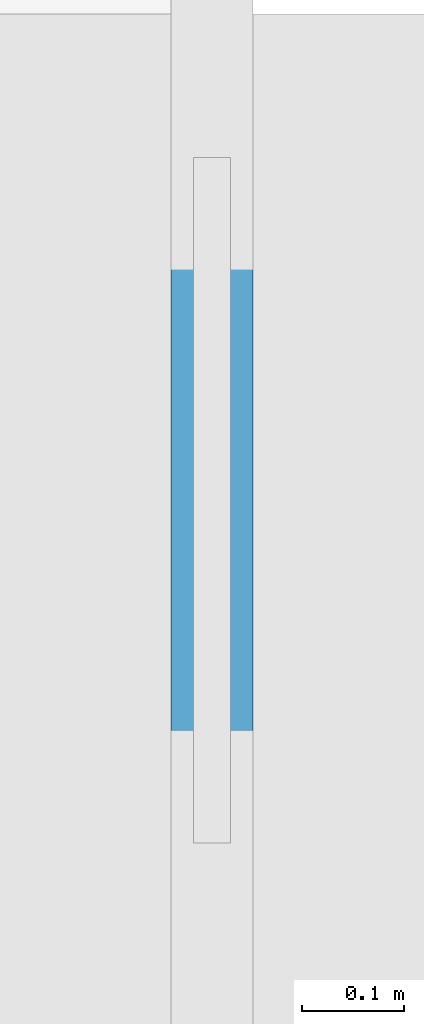
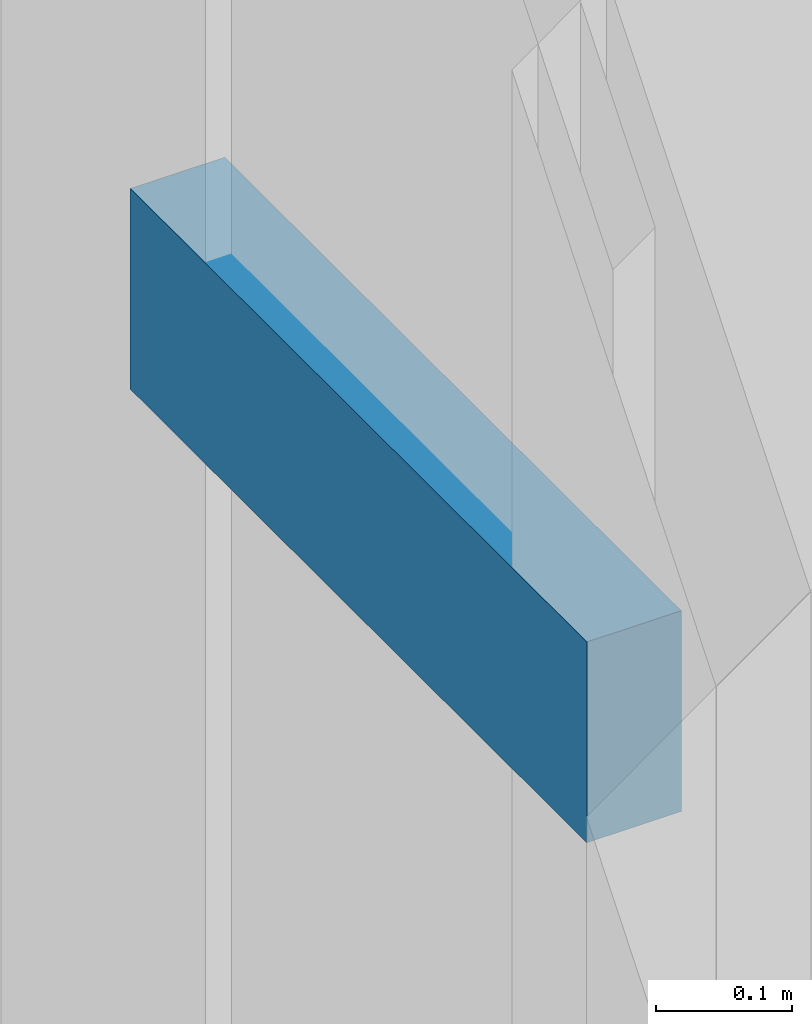
# One storey, part 15 of 49: 1 member, 1 element without a shape of its own.
"""IFC4 building model written with IfcOpenShell, lengths in metres."""

import ifcopenshell
import ifcopenshell.guid

model = None  # the IFC model being written
_history = None  # IfcOwnerHistory: only IFC2X3 demands one
_inside = {}  # id of a spatial element -> (the spatial element, [elements in it])
_under = {}  # id of a project, library or spatial element -> (it, [spatial elements below it])
_declared = {}  # id of a project -> (the project, [libraries it declares])
_typed = {}  # id of a type object -> (the type object, [elements of that type])
_made_of = {}  # id of a material, layer set ... -> (it, [elements and type objects made of it])


def new_model(schema):
    """Start an empty IFC model of exactly this schema.

    Asked for "IFC4X3", IfcOpenShell would pick the latest addendum, in which some entities
    have other attributes; the version numbers below select the first issue.
    IFC2X3 requires an IfcOwnerHistory on every rooted entity: one is made here for all.
    """
    global model, _history
    if schema == "IFC4X3":
        model = ifcopenshell.file(schema_version=(4, 3, 0, 0))
    else:
        model = ifcopenshell.file(schema=schema)
    _inside.clear()
    _under.clear()
    _declared.clear()
    _typed.clear()
    _made_of.clear()
    _history = None
    if model.schema == "IFC2X3":
        org = make("IfcOrganization", Name="unknown")
        user = make(
            "IfcPersonAndOrganization",
            ThePerson=make("IfcPerson", FamilyName="unknown"),
            TheOrganization=org,
        )
        app = make(
            "IfcApplication",
            ApplicationDeveloper=org,
            Version="unknown",
            ApplicationFullName="unknown",
            ApplicationIdentifier="unknown",
        )
        _history = make(
            "IfcOwnerHistory",
            OwningUser=user,
            OwningApplication=app,
            ChangeAction="ADDED",
            CreationDate=0,
        )
    return model


def make(cls, **values):
    """One entity of the class cls with the attributes given. An attribute that is None is left unset."""
    return model.create_entity(
        cls, **{name: value for name, value in values.items() if value is not None}
    )


def rooted(cls, **values):
    """An entity with a GlobalId (a new one), such as an element, a storey or a relation."""
    return make(cls, GlobalId=ifcopenshell.guid.new(), OwnerHistory=_history, **values)


def si_unit(unit_type, name, prefix=None):
    """IfcSIUnit, for example si_unit("LENGTHUNIT", "METRE", prefix="MILLI")."""
    return make("IfcSIUnit", UnitType=unit_type, Prefix=prefix, Name=name)


def assignment(units):
    """IfcUnitAssignment: the units of a project."""
    return None if units is None else make("IfcUnitAssignment", Units=units)


def point(xyz):
    """IfcCartesianPoint."""
    return None if xyz is None else make("IfcCartesianPoint", Coordinates=xyz)


def direction(xyz):
    """IfcDirection."""
    return None if xyz is None else make("IfcDirection", DirectionRatios=xyz)


def frame(location, z_axis=None, x_axis=None):
    """IfcAxis2Placement3D, a coordinate frame: its origin and axes. An axis left out is left unset."""
    return make(
        "IfcAxis2Placement3D",
        Location=point(location),
        Axis=direction(z_axis),
        RefDirection=direction(x_axis),
    )


def frame_2d(location, x_axis=None):
    """IfcAxis2Placement2D, a coordinate frame in the plane: its origin and x axis."""
    return make(
        "IfcAxis2Placement2D", Location=point(location), RefDirection=direction(x_axis)
    )


def origin():
    """The frame at (0, 0, 0) with its axes left unset."""
    return frame((0.0, 0.0, 0.0))


def origin_2d():
    """The frame at (0, 0) in the plane with its x axis left unset."""
    return frame_2d((0.0, 0.0))


def place(relative_to, where):
    """IfcLocalPlacement: puts the frame where relative to a parent placement (None: the world)."""
    return make(
        "IfcLocalPlacement", PlacementRelTo=relative_to, RelativePlacement=where
    )


def context(
    kind, dimensions, precision=None, world=None, true_north=None, identifier=None
):
    """IfcGeometricRepresentationContext, for example the 3D "Model" context."""
    return make(
        "IfcGeometricRepresentationContext",
        ContextIdentifier=identifier,
        ContextType=kind,
        CoordinateSpaceDimension=dimensions,
        Precision=precision,
        WorldCoordinateSystem=world,
        TrueNorth=true_north,
    )


def subcontext(parent, identifier, kind, view, scale=None):
    """IfcGeometricRepresentationSubContext, for example "Body" below "Model"."""
    return make(
        "IfcGeometricRepresentationSubContext",
        ContextIdentifier=identifier,
        ContextType=kind,
        ParentContext=parent,
        TargetScale=scale,
        TargetView=view,
    )


def project(units=None, contexts=None):
    """IfcProject with its units and contexts."""
    return rooted(
        "IfcProject",
        Name="project",
        RepresentationContexts=contexts,
        UnitsInContext=assignment(units),
    )


def spatial(cls, under=None, at=None, **own):
    """A site, building, storey or space (cls), placed at a placement, below another one or the project."""
    s = rooted(cls, ObjectPlacement=at, **own)
    if under is not None:
        _under.setdefault(under.id(), (under, []))[1].append(s)
    return s


def profile(cls, at=None, kind="AREA", **sizes):
    """A parametric profile (cls). Its sizes go by their IFC names, for example OverallWidth=200.0."""
    return make(cls, ProfileType=kind, Position=at, **sizes)


def rectangle(**sizes):
    """IfcRectangleProfileDef."""
    return profile("IfcRectangleProfileDef", **sizes)


def extrude(swept, where, along, depth):
    """IfcExtrudedAreaSolid: the profile swept, set in the frame where, extruded along a direction by depth."""
    return make(
        "IfcExtrudedAreaSolid",
        SweptArea=swept,
        Position=where,
        ExtrudedDirection=direction(along),
        Depth=depth,
    )


def shape(context_of_items, identifier, shape_type, items):
    """IfcShapeRepresentation: the items that make up one representation, for example the "Body"."""
    return make(
        "IfcShapeRepresentation",
        ContextOfItems=context_of_items,
        RepresentationIdentifier=identifier,
        RepresentationType=shape_type,
        Items=items,
    )


def material(Name=None, Category=None):
    """IfcMaterial."""
    return make("IfcMaterial", Name=Name, Category=Category)


def material_profile(
    of_material, cross_section, Name=None, Category=None, Priority=None
):
    """IfcMaterialProfile: a cross section and its material."""
    return make(
        "IfcMaterialProfile",
        Name=Name,
        Material=of_material,
        Profile=cross_section,
        Priority=Priority,
        Category=Category,
    )


def profile_set(profiles, Name=None, composite=None):
    """IfcMaterialProfileSet."""
    return make(
        "IfcMaterialProfileSet",
        Name=Name,
        MaterialProfiles=profiles,
        CompositeProfile=composite,
    )


def made_of(thing, what):
    """Note that an element or type object is made of a material, layer set ...; save() writes the relation."""
    if what is not None:
        _made_of.setdefault(what.id(), (what, []))[1].append(thing)
    return thing


def type_object(cls, material=None, **own):
    """A type object (cls), such as IfcWallType, which elements share."""
    return made_of(rooted(cls, **own), material)


def element(
    cls,
    number,
    at=None,
    inside=None,
    cuts=None,
    type_object=None,
    material=None,
    context=None,
    identifier="Body",
    shape_type=None,
    held_by="IfcProductDefinitionShape",
    body=None,
    shapes=None,
    **own,
):
    """One element of the class cls, such as IfcWall. Its Tag is "e" and its number.

    at: its placement. inside: the storey or other place that contains it. cuts: it is an
    opening in that element (IfcRelVoidsElement). A single representation is given by context,
    identifier, shape_type and body (its items); several are given by shapes. held_by: the class
    of the entity that holds the representations. save() writes the other relations.
    """
    e = rooted(cls, Tag="e%d" % number, ObjectPlacement=at, **own)
    if body is not None:
        shapes = [shape(context, identifier, shape_type, body)]
    if shapes is not None:
        e.Representation = make(held_by, Representations=shapes)
    if inside is not None:
        _inside.setdefault(inside.id(), (inside, []))[1].append(e)
    if cuts is not None:
        rooted(
            "IfcRelVoidsElement", RelatingBuildingElement=cuts, RelatedOpeningElement=e
        )
    if type_object is not None:
        _typed.setdefault(type_object.id(), (type_object, []))[1].append(e)
    return made_of(e, material)


def aggregate(whole, parts):
    """IfcRelAggregates: a whole, such as a stair, and the parts it consists of."""
    return rooted("IfcRelAggregates", RelatingObject=whole, RelatedObjects=parts)


def save(model, path):
    """Write the relations noted so far, then the file.

    IfcRelAggregates (storeys below a building ...), IfcRelContainedInSpatialStructure (elements
    in a storey), IfcRelDefinesByType, IfcRelAssociatesMaterial and IfcRelDeclares: one each for
    every whole, place, type object, material and project.
    """
    for whole, parts in _under.values():
        aggregate(whole, parts)
    for where, things in _inside.values():
        rooted(
            "IfcRelContainedInSpatialStructure",
            RelatedElements=things,
            RelatingStructure=where,
        )
    for kind, things in _typed.values():
        rooted("IfcRelDefinesByType", RelatedObjects=things, RelatingType=kind)
    for what, things in _made_of.values():
        rooted("IfcRelAssociatesMaterial", RelatedObjects=things, RelatingMaterial=what)
    for by, libraries in _declared.values():
        rooted("IfcRelDeclares", RelatingContext=by, RelatedDefinitions=libraries)
    model.write(path)


model = new_model("IFC4")

# Units and contexts
model_context = context("Model", 3, precision=1e-05, world=origin(), true_north=direction((0.0, 1.0)))
body_context = subcontext(model_context, "Body", "Model", "MODEL_VIEW")
ifc_project = project(units=[si_unit("LENGTHUNIT", "METRE"), si_unit("AREAUNIT", "SQUARE_METRE"), si_unit("VOLUMEUNIT", "CUBIC_METRE"), si_unit("PLANEANGLEUNIT", "RADIAN"), si_unit("MASSUNIT", "GRAM", prefix="KILO")], contexts=[model_context])

# Site, building, storey
site_placement = place(None, origin())
site = spatial("IfcSite", under=ifc_project, at=site_placement, CompositionType="ELEMENT")
building_placement = place(site_placement, origin())
building = spatial("IfcBuilding", under=site, at=building_placement, Name="Candeia Pilgrim Tower and Theatre", CompositionType="ELEMENT")
storey_placement = place(building_placement, frame((0.0, 0.0, 17.0)))
storey = spatial("IfcBuildingStorey", under=building, at=storey_placement, Name="L02", CompositionType="ELEMENT", Elevation=17.0)

# Curtain wall, member
ifc_material_1 = material(Name="Aluminium framed podium glazing", Category="aluminium")
curtain_wall_type = type_object("IfcCurtainWallType", Name="CW-P curtain wall", PredefinedType="NOTDEFINED", material=ifc_material_1)
curtain_wall_placement = place(storey_placement, origin())
curtain_wall = element("IfcCurtainWall", 1, at=curtain_wall_placement, inside=storey, type_object=curtain_wall_type, Name="Curtain wall CW-P L02.200", PredefinedType="NOTDEFINED")
ifc_material_2 = material(Name="Anodised aluminium", Category="aluminium")
ifc_material_profile = material_profile(ifc_material_2, rectangle(XDim=0.080078125, YDim=0.179931640625, at=origin_2d()))
ifc_profile_set = profile_set([ifc_material_profile], Name="Anodised aluminium")
member_type = type_object("IfcMemberType", Name="CW-P transom 80x180", PredefinedType="USERDEFINED", material=ifc_profile_set)
member_placement = place(storey_placement, frame((159.60009765625, 143.860107421875, 3.0), z_axis=(0.0, -1.0, 0.0), x_axis=(1.0, 0.0, 0.0)))
member = element("IfcMember", 2, at=member_placement, type_object=member_type, Name="CW-P transom 1.1", ObjectType="TRANSOM", PredefinedType="USERDEFINED", context=body_context, shape_type="SweptSolid", body=[
    extrude(rectangle(XDim=0.080078125, YDim=0.179931640625, at=origin_2d()), origin(), (0.0, 0.0, 1.0), 0.670166015625),
])
aggregate(curtain_wall, [member])

save(model, "model.ifc")
